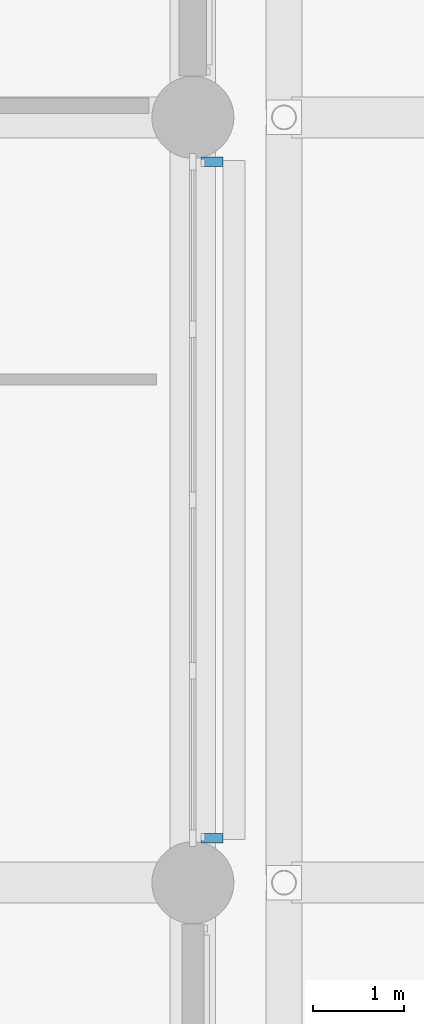
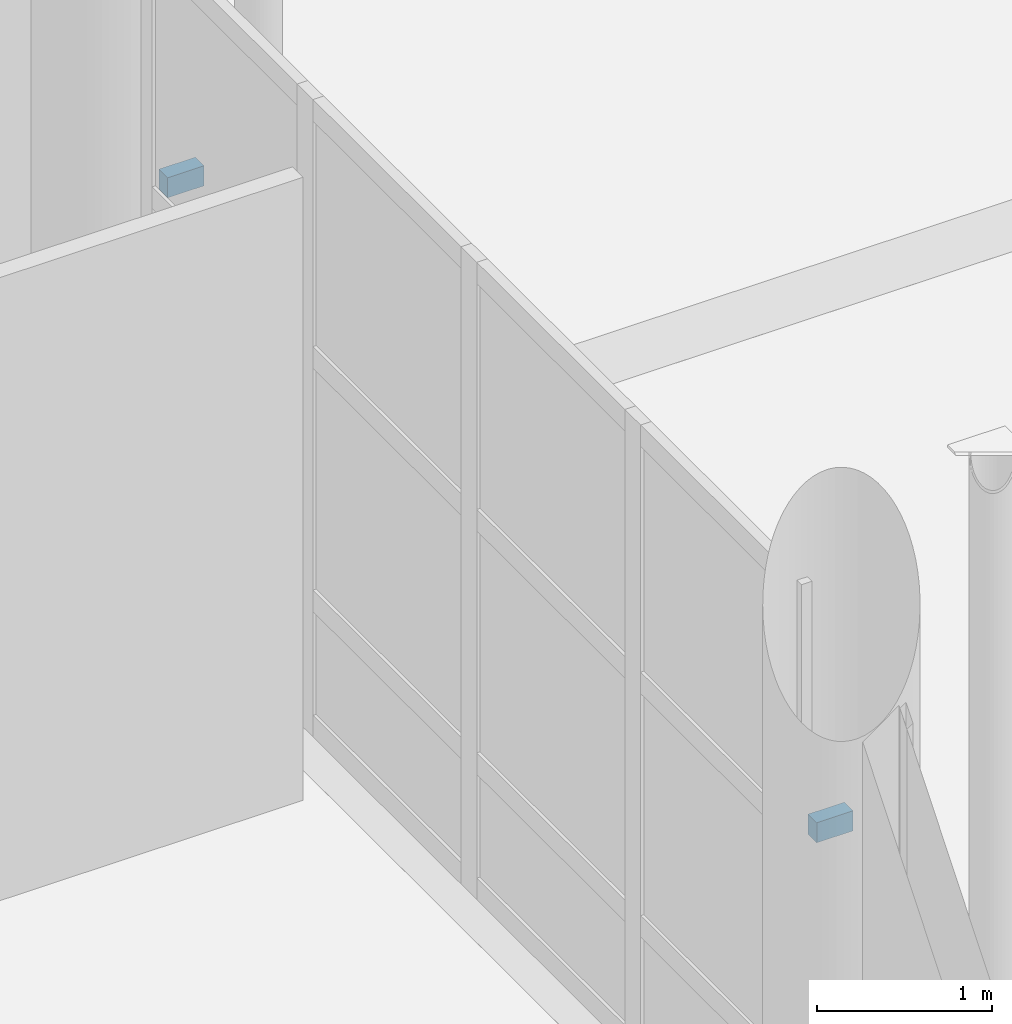
# One storey, part 82 of 140: 2 discrete accessories.
"""IFC4 building model written with IfcOpenShell, lengths in metres."""

from ifc_helpers import new_model, si_unit, direction, frame, origin, origin_2d, place, context, subcontext, project, spatial, rectangle, extrude, material, type_object, element, save


model = new_model("IFC4")

# Units and contexts
model_context = context("Model", 3, precision=1e-05, world=origin(), true_north=direction((0.0, 1.0)))
body_context = subcontext(model_context, "Body", "Model", "MODEL_VIEW")
ifc_project = project(units=[si_unit("LENGTHUNIT", "METRE"), si_unit("AREAUNIT", "SQUARE_METRE"), si_unit("VOLUMEUNIT", "CUBIC_METRE"), si_unit("PLANEANGLEUNIT", "RADIAN"), si_unit("MASSUNIT", "GRAM", prefix="KILO")], contexts=[model_context])

# Site, building, storey
site_placement = place(None, origin())
site = spatial("IfcSite", under=ifc_project, at=site_placement, CompositionType="ELEMENT")
building_placement = place(site_placement, origin())
building = spatial("IfcBuilding", under=site, at=building_placement, Name="Telukmera Botanical Conservatory", CompositionType="ELEMENT")
storey_placement = place(building_placement, origin())
storey = spatial("IfcBuildingStorey", under=building, at=storey_placement, Name="L00", CompositionType="ELEMENT", Elevation=0.0)

# Discrete accessories
ifc_material = material(Name="Steel S355", Category="steel")
discrete_accessory_type = type_object("IfcDiscreteAccessoryType", Name="Structural Steel Facade Outrigger Fin Bracket", PredefinedType="BRACKET", material=ifc_material)
for number, where, z_axis, x_axis, name in (
    (1, (42.2099609375, 58.487060546875, 2.580078125), (0.0, 0.0, 1.0), (0.0, 1.0, 0.0), "Facade Outrigger Bracket V3:L00:E6 A"),
    (2, (42.2099609375, 65.9130859375, 2.580078125), (0.0, 0.0, 1.0), (0.0, 1.0, 0.0), "Facade Outrigger Bracket V3:L00:E6 B"),
):
    element("IfcDiscreteAccessory", number, at=place(storey_placement, frame(where, z_axis=z_axis, x_axis=x_axis)), inside=storey, type_object=discrete_accessory_type, Name=name, PredefinedType="BRACKET", context=body_context, shape_type="SweptSolid", body=[
        extrude(rectangle(XDim=0.10009765625, YDim=0.239990234375, at=origin_2d()), origin(), (0.0, 0.0, 1.0), 0.139892578125),
    ])

save(model, "model.ifc")
